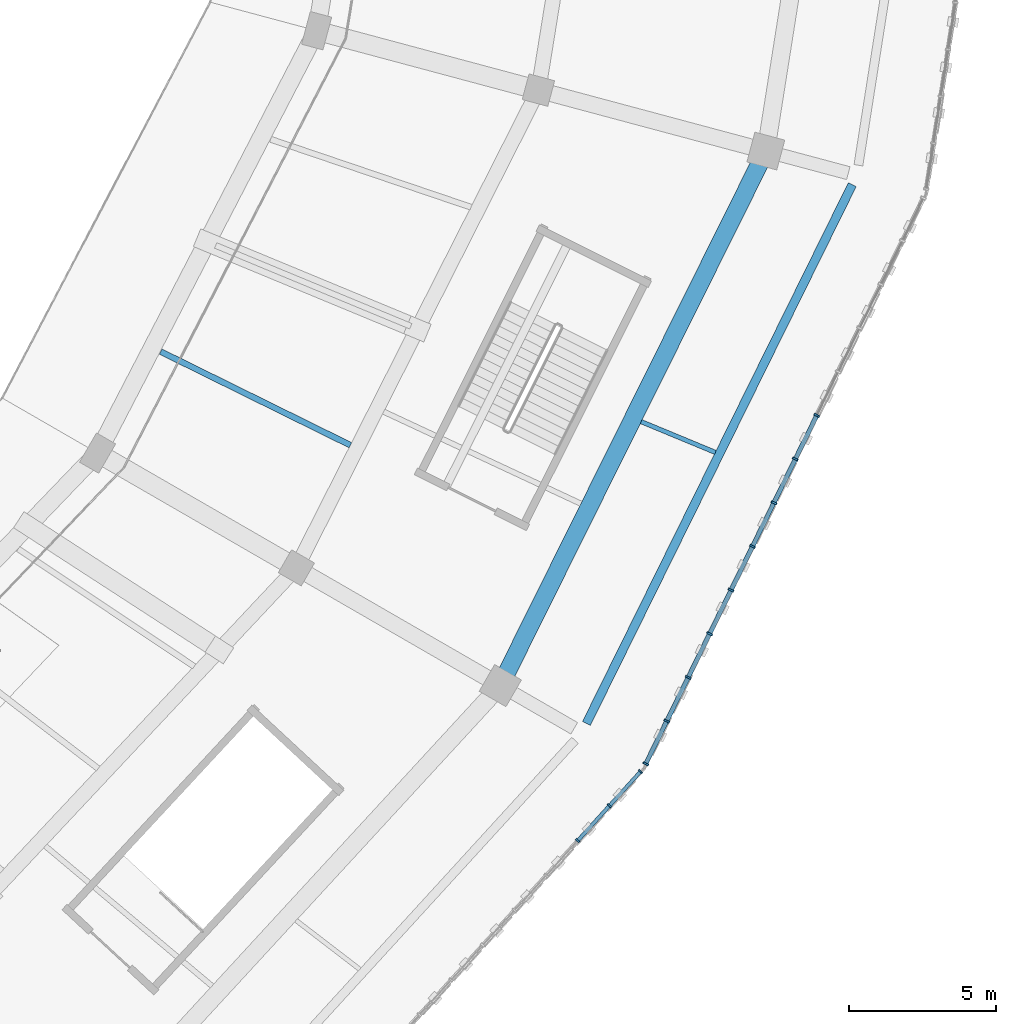
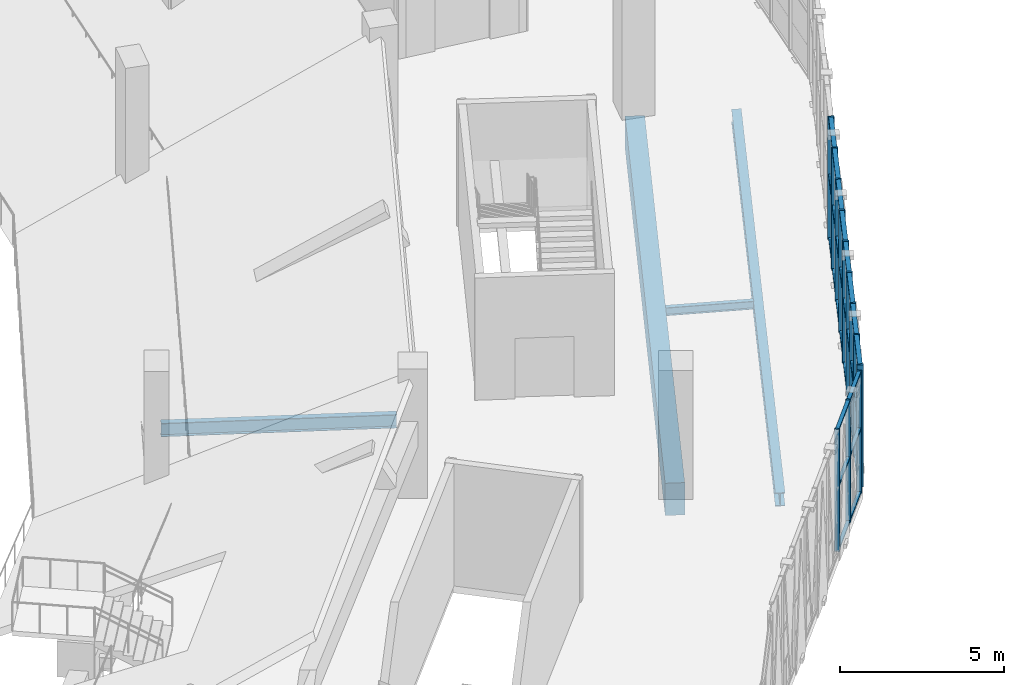
# One storey, part 36 of 152: 42 members, 4 beams, 2 elements without a shape of their own.
"""IFC4 building model written with IfcOpenShell, lengths in metres."""

from ifc_helpers import new_model, si_unit, direction, frame, origin, origin_2d, place, context, subcontext, project, spatial, rectangle, i_section, extrude, material, material_profile, profile_set, type_object, element, aggregate, save


model = new_model("IFC4")

# Units and contexts
model_context = context("Model", 3, precision=1e-05, world=origin(), true_north=direction((0.0, 1.0)))
body_context = subcontext(model_context, "Body", "Model", "MODEL_VIEW")
ifc_project = project(units=[si_unit("LENGTHUNIT", "METRE"), si_unit("AREAUNIT", "SQUARE_METRE"), si_unit("VOLUMEUNIT", "CUBIC_METRE"), si_unit("PLANEANGLEUNIT", "RADIAN"), si_unit("MASSUNIT", "GRAM", prefix="KILO")], contexts=[model_context])

# Site, building, storey
site_placement = place(None, origin())
site = spatial("IfcSite", under=ifc_project, at=site_placement, CompositionType="ELEMENT")
building_placement = place(site_placement, origin())
building = spatial("IfcBuilding", under=site, at=building_placement, Name="Zevraka Park Crest Stadium", CompositionType="ELEMENT")
storey_placement = place(building_placement, frame((0.0, 0.0, 15.0)))
storey = spatial("IfcBuildingStorey", under=building, at=storey_placement, Name="L03", CompositionType="ELEMENT", Elevation=15.0)

# Curtain wall, members
ifc_material_1 = material(Name="Anodised architectural aluminium and laminated safety glass", Category="aluminium")
curtain_wall_type_1 = type_object("IfcCurtainWallType", Name="CW13", PredefinedType="NOTDEFINED", material=ifc_material_1)
curtain_wall_1_placement = place(storey_placement, origin())
curtain_wall_1 = element("IfcCurtainWall", 1, at=curtain_wall_1_placement, inside=storey, type_object=curtain_wall_type_1, Name="Unitised Ring Curtain Wall CW13 L03-21", PredefinedType="NOTDEFINED")
ifc_material_2 = material(Name="Anodised architectural aluminium", Category="aluminium")
ifc_material_profile_1 = material_profile(ifc_material_2, rectangle(XDim=0.159912109375, YDim=0.06005859375, at=origin_2d()), Name="ALU MULLION 160x60")
ifc_profile_set_1 = profile_set([ifc_material_profile_1], Name="Anodised architectural aluminium")
member_type_1 = type_object("IfcMemberType", Name="CM01", PredefinedType="MULLION", material=ifc_profile_set_1)
member_1_placement = place(storey_placement, frame((192.83251953125, 49.0830078125, 0.0), z_axis=(0.0, 0.0, 1.0), x_axis=(-0.739822878481, 0.672801685845, 0.0)))
member_1 = element("IfcMember", 2, at=member_1_placement, type_object=member_type_1, Name="CW13 mullion 13", PredefinedType="MULLION", context=body_context, shape_type="SweptSolid", body=[
    extrude(rectangle(XDim=0.159912109375, YDim=0.06005859375, at=origin_2d()), origin(), (0.0, 0.0, 1.0), 4.5400390625),
])
member_2_placement = place(storey_placement, frame((193.90869140625, 50.2666015625, 0.0), z_axis=(0.0, 0.0, 1.0), x_axis=(-0.739822878481, 0.672801685845, 0.0)))
member_2 = element("IfcMember", 3, at=member_2_placement, type_object=member_type_1, Name="CW13 mullion 14", PredefinedType="MULLION", context=body_context, shape_type="SweptSolid", body=[
    extrude(rectangle(XDim=0.159912109375, YDim=0.06005859375, at=origin_2d()), origin(), (0.0, 0.0, 1.0), 4.5400390625),
])
member_3_placement = place(storey_placement, frame((194.96484375, 51.427734375, 0.0), z_axis=(0.0, 0.0, 1.0), x_axis=(-0.739822878481, 0.672801685845, 0.0)))
member_3 = element("IfcMember", 4, at=member_3_placement, type_object=member_type_1, Name="CW13 mullion 15", PredefinedType="MULLION", context=body_context, shape_type="SweptSolid", body=[
    extrude(rectangle(XDim=0.159912109375, YDim=0.06005859375, at=origin_2d()), origin(), (0.0, 0.0, 1.0), 4.5400390625),
])

ifc_material_3 = material(Name="Anodised architectural aluminium and laminated safety glass", Category="aluminium")
curtain_wall_type_2 = type_object("IfcCurtainWallType", Name="CW12", PredefinedType="NOTDEFINED", material=ifc_material_3)
curtain_wall_2_placement = place(storey_placement, origin())
curtain_wall_2 = element("IfcCurtainWall", 5, at=curtain_wall_2_placement, inside=storey, type_object=curtain_wall_type_2, Name="Unitised Ring Curtain Wall CW12 L03-22", PredefinedType="NOTDEFINED")
ifc_material_4 = material(Name="Anodised architectural aluminium", Category="aluminium")
ifc_material_profile_2 = material_profile(ifc_material_4, rectangle(XDim=0.199951171875, YDim=0.070068359375, at=origin_2d()), Name="ALU MULLION 200x70")
ifc_profile_set_2 = profile_set([ifc_material_profile_2], Name="Anodised architectural aluminium")
member_type_2 = type_object("IfcMemberType", Name="CM03", PredefinedType="MULLION", material=ifc_profile_set_2)
member_4_placement = place(storey_placement, frame((195.143310546875, 51.6923828125, 0.0), z_axis=(0.0, 0.0, 1.0), x_axis=(-0.897670958396, 0.440666370912, 0.0)))
member_4 = element("IfcMember", 6, at=member_4_placement, type_object=member_type_2, Name="CW12 mullion 1", PredefinedType="MULLION", context=body_context, shape_type="SweptSolid", body=[
    extrude(rectangle(XDim=0.199951171875, YDim=0.070068359375, at=origin_2d()), origin(), (0.0, 0.0, 1.0), 4.5400390625),
])
member_5_placement = place(storey_placement, frame((195.856201171875, 53.14453125, 0.0), z_axis=(0.0, 0.0, 1.0), x_axis=(-0.897670958396, 0.440666370912, 0.0)))
member_5 = element("IfcMember", 7, at=member_5_placement, type_object=member_type_2, Name="CW12 mullion 2", PredefinedType="MULLION", context=body_context, shape_type="SweptSolid", body=[
    extrude(rectangle(XDim=0.199951171875, YDim=0.070068359375, at=origin_2d()), origin(), (0.0, 0.0, 1.0), 4.5400390625),
])
member_6_placement = place(storey_placement, frame((196.58447265625, 54.6279296875, 0.0), z_axis=(0.0, 0.0, 1.0), x_axis=(-0.897670958396, 0.440666370912, 0.0)))
member_6 = element("IfcMember", 8, at=member_6_placement, type_object=member_type_2, Name="CW12 mullion 3", PredefinedType="MULLION", context=body_context, shape_type="SweptSolid", body=[
    extrude(rectangle(XDim=0.199951171875, YDim=0.070068359375, at=origin_2d()), origin(), (0.0, 0.0, 1.0), 4.5400390625),
])
member_7_placement = place(storey_placement, frame((197.312744140625, 56.111328125, 0.0), z_axis=(0.0, 0.0, 1.0), x_axis=(-0.897670958396, 0.440666370912, 0.0)))
member_7 = element("IfcMember", 9, at=member_7_placement, type_object=member_type_2, Name="CW12 mullion 4", PredefinedType="MULLION", context=body_context, shape_type="SweptSolid", body=[
    extrude(rectangle(XDim=0.199951171875, YDim=0.070068359375, at=origin_2d()), origin(), (0.0, 0.0, 1.0), 4.5400390625),
])
member_8_placement = place(storey_placement, frame((198.041015625, 57.5947265625, 0.0), z_axis=(0.0, 0.0, 1.0), x_axis=(-0.897670958396, 0.440666370912, 0.0)))
member_8 = element("IfcMember", 10, at=member_8_placement, type_object=member_type_2, Name="CW12 mullion 5", PredefinedType="MULLION", context=body_context, shape_type="SweptSolid", body=[
    extrude(rectangle(XDim=0.199951171875, YDim=0.070068359375, at=origin_2d()), origin(), (0.0, 0.0, 1.0), 4.5400390625),
])
member_9_placement = place(storey_placement, frame((198.76904296875, 59.078369140625, 0.0), z_axis=(0.0, 0.0, 1.0), x_axis=(-0.897670958396, 0.440666370912, 0.0)))
member_9 = element("IfcMember", 11, at=member_9_placement, type_object=member_type_2, Name="CW12 mullion 6", PredefinedType="MULLION", context=body_context, shape_type="SweptSolid", body=[
    extrude(rectangle(XDim=0.199951171875, YDim=0.070068359375, at=origin_2d()), origin(), (0.0, 0.0, 1.0), 4.5400390625),
])
member_10_placement = place(storey_placement, frame((199.497314453125, 60.561767578125, 0.0), z_axis=(0.0, 0.0, 1.0), x_axis=(-0.897670958396, 0.440666370912, 0.0)))
member_10 = element("IfcMember", 12, at=member_10_placement, type_object=member_type_2, Name="CW12 mullion 7", PredefinedType="MULLION", context=body_context, shape_type="SweptSolid", body=[
    extrude(rectangle(XDim=0.199951171875, YDim=0.070068359375, at=origin_2d()), origin(), (0.0, 0.0, 1.0), 4.5400390625),
])
member_11_placement = place(storey_placement, frame((200.2255859375, 62.045166015625, 0.0), z_axis=(0.0, 0.0, 1.0), x_axis=(-0.897670958396, 0.440666370912, 0.0)))
member_11 = element("IfcMember", 13, at=member_11_placement, type_object=member_type_2, Name="CW12 mullion 8", PredefinedType="MULLION", context=body_context, shape_type="SweptSolid", body=[
    extrude(rectangle(XDim=0.199951171875, YDim=0.070068359375, at=origin_2d()), origin(), (0.0, 0.0, 1.0), 4.5400390625),
])
member_12_placement = place(storey_placement, frame((200.953857421875, 63.52880859375, 0.0), z_axis=(0.0, 0.0, 1.0), x_axis=(-0.897670958396, 0.440666370912, 0.0)))
member_12 = element("IfcMember", 14, at=member_12_placement, type_object=member_type_2, Name="CW12 mullion 9", PredefinedType="MULLION", context=body_context, shape_type="SweptSolid", body=[
    extrude(rectangle(XDim=0.199951171875, YDim=0.070068359375, at=origin_2d()), origin(), (0.0, 0.0, 1.0), 4.5400390625),
])

# Member
ifc_material_5 = material(Name="Anodised architectural aluminium", Category="aluminium")
ifc_material_profile_3 = material_profile(ifc_material_5, rectangle(XDim=0.1201171875, YDim=0.06005859375, at=origin_2d()), Name="ALU TRANSOM 120x60")
ifc_profile_set_3 = profile_set([ifc_material_profile_3], Name="Anodised architectural aluminium")
member_type_3 = type_object("IfcMemberType", Name="CT01", PredefinedType="USERDEFINED", material=ifc_profile_set_3)
member_13_placement = place(storey_placement, frame((192.8525390625, 49.105224609375, 0.030029296875), z_axis=(0.672775385986, 0.739846794959, 0.0), x_axis=(-0.739846794959, 0.672775385986, 0.0)))
member_13 = element("IfcMember", 15, at=member_13_placement, type_object=member_type_3, Name="CW13 transom 13.1", ObjectType="TRANSOM", PredefinedType="USERDEFINED", context=body_context, shape_type="SweptSolid", body=[
    extrude(rectangle(XDim=0.1201171875, YDim=0.06005859375, at=origin_2d()), origin(), (0.0, 0.0, 1.0), 1.539794921875),
])

member_14_placement = place(storey_placement, frame((192.8525390625, 49.105224609375, 2.39990234375), z_axis=(0.672775385986, 0.739846794959, 0.0), x_axis=(-0.739846794959, 0.672775385986, 0.0)))
member_14 = element("IfcMember", 16, at=member_14_placement, type_object=member_type_3, Name="CW13 transom 13.2", ObjectType="TRANSOM", PredefinedType="USERDEFINED", context=body_context, shape_type="SweptSolid", body=[
    extrude(rectangle(XDim=0.1201171875, YDim=0.06005859375, at=origin_2d()), origin(), (0.0, 0.0, 1.0), 1.539794921875),
])

member_15_placement = place(storey_placement, frame((192.8525390625, 49.105224609375, 4.510009765625), z_axis=(0.672775385986, 0.739846794959, 0.0), x_axis=(-0.739846794959, 0.672775385986, 0.0)))
member_15 = element("IfcMember", 17, at=member_15_placement, type_object=member_type_3, Name="CW13 transom 13.3", ObjectType="TRANSOM", PredefinedType="USERDEFINED", context=body_context, shape_type="SweptSolid", body=[
    extrude(rectangle(XDim=0.1201171875, YDim=0.06005859375, at=origin_2d()), origin(), (0.0, 0.0, 1.0), 1.539794921875),
])

member_16_placement = place(storey_placement, frame((193.928955078125, 50.28857421875, 0.030029296875), z_axis=(0.672753283904, 0.739866892756, 0.0), x_axis=(-0.739866892756, 0.672753283904, 0.0)))
member_16 = element("IfcMember", 18, at=member_16_placement, type_object=member_type_3, Name="CW13 transom 14.1", ObjectType="TRANSOM", PredefinedType="USERDEFINED", context=body_context, shape_type="SweptSolid", body=[
    extrude(rectangle(XDim=0.1201171875, YDim=0.06005859375, at=origin_2d()), origin(), (0.0, 0.0, 1.0), 1.509765625),
])

member_17_placement = place(storey_placement, frame((193.928955078125, 50.28857421875, 2.39990234375), z_axis=(0.672753283904, 0.739866892756, 0.0), x_axis=(-0.739866892756, 0.672753283904, 0.0)))
member_17 = element("IfcMember", 19, at=member_17_placement, type_object=member_type_3, Name="CW13 transom 14.2", ObjectType="TRANSOM", PredefinedType="USERDEFINED", context=body_context, shape_type="SweptSolid", body=[
    extrude(rectangle(XDim=0.1201171875, YDim=0.06005859375, at=origin_2d()), origin(), (0.0, 0.0, 1.0), 1.509765625),
])

member_18_placement = place(storey_placement, frame((193.928955078125, 50.28857421875, 4.510009765625), z_axis=(0.672753283904, 0.739866892756, 0.0), x_axis=(-0.739866892756, 0.672753283904, 0.0)))
member_18 = element("IfcMember", 20, at=member_18_placement, type_object=member_type_3, Name="CW13 transom 14.3", ObjectType="TRANSOM", PredefinedType="USERDEFINED", context=body_context, shape_type="SweptSolid", body=[
    extrude(rectangle(XDim=0.1201171875, YDim=0.06005859375, at=origin_2d()), origin(), (0.0, 0.0, 1.0), 1.509765625),
])

aggregate(curtain_wall_1, [member_1, member_2, member_3, member_13, member_14, member_15, member_16, member_17, member_18])

ifc_material_6 = material(Name="Anodised architectural aluminium", Category="aluminium")
ifc_material_profile_4 = material_profile(ifc_material_6, rectangle(XDim=0.14990234375, YDim=0.070068359375, at=origin_2d()), Name="ALU TRANSOM 150x70")
ifc_profile_set_4 = profile_set([ifc_material_profile_4], Name="Anodised architectural aluminium")
member_type_4 = type_object("IfcMemberType", Name="CT03", PredefinedType="USERDEFINED", material=ifc_profile_set_4)
member_19_placement = place(storey_placement, frame((195.158935546875, 51.723876953125, 0.034912109375), z_axis=(0.440638518925, 0.897684630391, 0.0), x_axis=(-0.897684630391, 0.440638518925, 0.0)))
member_19 = element("IfcMember", 21, at=member_19_placement, type_object=member_type_4, Name="CW12 transom 1.1", ObjectType="TRANSOM", PredefinedType="USERDEFINED", context=body_context, shape_type="SweptSolid", body=[
    extrude(rectangle(XDim=0.14990234375, YDim=0.070068359375, at=origin_2d()), origin(), (0.0, 0.0, 1.0), 1.547607421875),
])

member_20_placement = place(storey_placement, frame((195.158935546875, 51.723876953125, 2.39990234375), z_axis=(0.440638518925, 0.897684630391, 0.0), x_axis=(-0.897684630391, 0.440638518925, 0.0)))
member_20 = element("IfcMember", 22, at=member_20_placement, type_object=member_type_4, Name="CW12 transom 1.2", ObjectType="TRANSOM", PredefinedType="USERDEFINED", context=body_context, shape_type="SweptSolid", body=[
    extrude(rectangle(XDim=0.14990234375, YDim=0.070068359375, at=origin_2d()), origin(), (0.0, 0.0, 1.0), 1.547607421875),
])

member_21_placement = place(storey_placement, frame((195.158935546875, 51.723876953125, 4.5048828125), z_axis=(0.440638518925, 0.897684630391, 0.0), x_axis=(-0.897684630391, 0.440638518925, 0.0)))
member_21 = element("IfcMember", 23, at=member_21_placement, type_object=member_type_4, Name="CW12 transom 1.3", ObjectType="TRANSOM", PredefinedType="USERDEFINED", context=body_context, shape_type="SweptSolid", body=[
    extrude(rectangle(XDim=0.14990234375, YDim=0.070068359375, at=origin_2d()), origin(), (0.0, 0.0, 1.0), 1.547607421875),
])

member_22_placement = place(storey_placement, frame((195.87158203125, 53.17578125, 0.034912109375), z_axis=(0.440722911723, 0.897643200321, 0.0), x_axis=(-0.897643200321, 0.440722911723, 0.0)))
member_22 = element("IfcMember", 24, at=member_22_placement, type_object=member_type_4, Name="CW12 transom 2.1", ObjectType="TRANSOM", PredefinedType="USERDEFINED", context=body_context, shape_type="SweptSolid", body=[
    extrude(rectangle(XDim=0.14990234375, YDim=0.070068359375, at=origin_2d()), origin(), (0.0, 0.0, 1.0), 1.582763671875),
])

member_23_placement = place(storey_placement, frame((195.87158203125, 53.17578125, 2.39990234375), z_axis=(0.440722911723, 0.897643200321, 0.0), x_axis=(-0.897643200321, 0.440722911723, 0.0)))
member_23 = element("IfcMember", 25, at=member_23_placement, type_object=member_type_4, Name="CW12 transom 2.2", ObjectType="TRANSOM", PredefinedType="USERDEFINED", context=body_context, shape_type="SweptSolid", body=[
    extrude(rectangle(XDim=0.14990234375, YDim=0.070068359375, at=origin_2d()), origin(), (0.0, 0.0, 1.0), 1.582763671875),
])

member_24_placement = place(storey_placement, frame((195.87158203125, 53.17578125, 4.5048828125), z_axis=(0.440722911723, 0.897643200321, 0.0), x_axis=(-0.897643200321, 0.440722911723, 0.0)))
member_24 = element("IfcMember", 26, at=member_24_placement, type_object=member_type_4, Name="CW12 transom 2.3", ObjectType="TRANSOM", PredefinedType="USERDEFINED", context=body_context, shape_type="SweptSolid", body=[
    extrude(rectangle(XDim=0.14990234375, YDim=0.070068359375, at=origin_2d()), origin(), (0.0, 0.0, 1.0), 1.582763671875),
])

member_25_placement = place(storey_placement, frame((196.599853515625, 54.659423828125, 0.034912109375), z_axis=(0.440722911723, 0.897643200321, 0.0), x_axis=(-0.897643200321, 0.440722911723, 0.0)))
member_25 = element("IfcMember", 27, at=member_25_placement, type_object=member_type_4, Name="CW12 transom 3.1", ObjectType="TRANSOM", PredefinedType="USERDEFINED", context=body_context, shape_type="SweptSolid", body=[
    extrude(rectangle(XDim=0.14990234375, YDim=0.070068359375, at=origin_2d()), origin(), (0.0, 0.0, 1.0), 1.582763671875),
])

member_26_placement = place(storey_placement, frame((196.599853515625, 54.659423828125, 2.39990234375), z_axis=(0.440722911723, 0.897643200321, 0.0), x_axis=(-0.897643200321, 0.440722911723, 0.0)))
member_26 = element("IfcMember", 28, at=member_26_placement, type_object=member_type_4, Name="CW12 transom 3.2", ObjectType="TRANSOM", PredefinedType="USERDEFINED", context=body_context, shape_type="SweptSolid", body=[
    extrude(rectangle(XDim=0.14990234375, YDim=0.070068359375, at=origin_2d()), origin(), (0.0, 0.0, 1.0), 1.582763671875),
])

member_27_placement = place(storey_placement, frame((196.599853515625, 54.659423828125, 4.5048828125), z_axis=(0.440722911723, 0.897643200321, 0.0), x_axis=(-0.897643200321, 0.440722911723, 0.0)))
member_27 = element("IfcMember", 29, at=member_27_placement, type_object=member_type_4, Name="CW12 transom 3.3", ObjectType="TRANSOM", PredefinedType="USERDEFINED", context=body_context, shape_type="SweptSolid", body=[
    extrude(rectangle(XDim=0.14990234375, YDim=0.070068359375, at=origin_2d()), origin(), (0.0, 0.0, 1.0), 1.582763671875),
])

member_28_placement = place(storey_placement, frame((197.328125, 56.142822265625, 0.034912109375), z_axis=(0.440598601408, 0.897704223248, 0.0), x_axis=(-0.897704223248, 0.440598601408, 0.0)))
member_28 = element("IfcMember", 30, at=member_28_placement, type_object=member_type_4, Name="CW12 transom 4.1", ObjectType="TRANSOM", PredefinedType="USERDEFINED", context=body_context, shape_type="SweptSolid", body=[
    extrude(rectangle(XDim=0.14990234375, YDim=0.070068359375, at=origin_2d()), origin(), (0.0, 0.0, 1.0), 1.58251953125),
])

member_29_placement = place(storey_placement, frame((197.328125, 56.142822265625, 2.39990234375), z_axis=(0.440598601408, 0.897704223248, 0.0), x_axis=(-0.897704223248, 0.440598601408, 0.0)))
member_29 = element("IfcMember", 31, at=member_29_placement, type_object=member_type_4, Name="CW12 transom 4.2", ObjectType="TRANSOM", PredefinedType="USERDEFINED", context=body_context, shape_type="SweptSolid", body=[
    extrude(rectangle(XDim=0.14990234375, YDim=0.070068359375, at=origin_2d()), origin(), (0.0, 0.0, 1.0), 1.58251953125),
])

member_30_placement = place(storey_placement, frame((197.328125, 56.142822265625, 4.5048828125), z_axis=(0.440598601408, 0.897704223248, 0.0), x_axis=(-0.897704223248, 0.440598601408, 0.0)))
member_30 = element("IfcMember", 32, at=member_30_placement, type_object=member_type_4, Name="CW12 transom 4.3", ObjectType="TRANSOM", PredefinedType="USERDEFINED", context=body_context, shape_type="SweptSolid", body=[
    extrude(rectangle(XDim=0.14990234375, YDim=0.070068359375, at=origin_2d()), origin(), (0.0, 0.0, 1.0), 1.58251953125),
])

member_31_placement = place(storey_placement, frame((198.056396484375, 57.626220703125, 0.034912109375), z_axis=(0.440598601408, 0.897704223248, 0.0), x_axis=(-0.897704223248, 0.440598601408, 0.0)))
member_31 = element("IfcMember", 33, at=member_31_placement, type_object=member_type_4, Name="CW12 transom 5.1", ObjectType="TRANSOM", PredefinedType="USERDEFINED", context=body_context, shape_type="SweptSolid", body=[
    extrude(rectangle(XDim=0.14990234375, YDim=0.070068359375, at=origin_2d()), origin(), (0.0, 0.0, 1.0), 1.58251953125),
])

member_32_placement = place(storey_placement, frame((198.056396484375, 57.626220703125, 2.39990234375), z_axis=(0.440598601408, 0.897704223248, 0.0), x_axis=(-0.897704223248, 0.440598601408, 0.0)))
member_32 = element("IfcMember", 34, at=member_32_placement, type_object=member_type_4, Name="CW12 transom 5.2", ObjectType="TRANSOM", PredefinedType="USERDEFINED", context=body_context, shape_type="SweptSolid", body=[
    extrude(rectangle(XDim=0.14990234375, YDim=0.070068359375, at=origin_2d()), origin(), (0.0, 0.0, 1.0), 1.58251953125),
])

member_33_placement = place(storey_placement, frame((198.056396484375, 57.626220703125, 4.5048828125), z_axis=(0.440598601408, 0.897704223248, 0.0), x_axis=(-0.897704223248, 0.440598601408, 0.0)))
member_33 = element("IfcMember", 35, at=member_33_placement, type_object=member_type_4, Name="CW12 transom 5.3", ObjectType="TRANSOM", PredefinedType="USERDEFINED", context=body_context, shape_type="SweptSolid", body=[
    extrude(rectangle(XDim=0.14990234375, YDim=0.070068359375, at=origin_2d()), origin(), (0.0, 0.0, 1.0), 1.58251953125),
])

member_34_placement = place(storey_placement, frame((198.78466796875, 59.109619140625, 0.034912109375), z_axis=(0.440598601408, 0.897704223248, 0.0), x_axis=(-0.897704223248, 0.440598601408, 0.0)))
member_34 = element("IfcMember", 36, at=member_34_placement, type_object=member_type_4, Name="CW12 transom 6.1", ObjectType="TRANSOM", PredefinedType="USERDEFINED", context=body_context, shape_type="SweptSolid", body=[
    extrude(rectangle(XDim=0.14990234375, YDim=0.070068359375, at=origin_2d()), origin(), (0.0, 0.0, 1.0), 1.58251953125),
])

member_35_placement = place(storey_placement, frame((198.78466796875, 59.109619140625, 2.39990234375), z_axis=(0.440598601408, 0.897704223248, 0.0), x_axis=(-0.897704223248, 0.440598601408, 0.0)))
member_35 = element("IfcMember", 37, at=member_35_placement, type_object=member_type_4, Name="CW12 transom 6.2", ObjectType="TRANSOM", PredefinedType="USERDEFINED", context=body_context, shape_type="SweptSolid", body=[
    extrude(rectangle(XDim=0.14990234375, YDim=0.070068359375, at=origin_2d()), origin(), (0.0, 0.0, 1.0), 1.58251953125),
])

member_36_placement = place(storey_placement, frame((198.78466796875, 59.109619140625, 4.5048828125), z_axis=(0.440598601408, 0.897704223248, 0.0), x_axis=(-0.897704223248, 0.440598601408, 0.0)))
member_36 = element("IfcMember", 38, at=member_36_placement, type_object=member_type_4, Name="CW12 transom 6.3", ObjectType="TRANSOM", PredefinedType="USERDEFINED", context=body_context, shape_type="SweptSolid", body=[
    extrude(rectangle(XDim=0.14990234375, YDim=0.070068359375, at=origin_2d()), origin(), (0.0, 0.0, 1.0), 1.58251953125),
])

member_37_placement = place(storey_placement, frame((199.5126953125, 60.59326171875, 0.034912109375), z_axis=(0.440722911723, 0.897643200321, 0.0), x_axis=(-0.897643200321, 0.440722911723, 0.0)))
member_37 = element("IfcMember", 39, at=member_37_placement, type_object=member_type_4, Name="CW12 transom 7.1", ObjectType="TRANSOM", PredefinedType="USERDEFINED", context=body_context, shape_type="SweptSolid", body=[
    extrude(rectangle(XDim=0.14990234375, YDim=0.070068359375, at=origin_2d()), origin(), (0.0, 0.0, 1.0), 1.582763671875),
])

member_38_placement = place(storey_placement, frame((199.5126953125, 60.59326171875, 2.39990234375), z_axis=(0.440722911723, 0.897643200321, 0.0), x_axis=(-0.897643200321, 0.440722911723, 0.0)))
member_38 = element("IfcMember", 40, at=member_38_placement, type_object=member_type_4, Name="CW12 transom 7.2", ObjectType="TRANSOM", PredefinedType="USERDEFINED", context=body_context, shape_type="SweptSolid", body=[
    extrude(rectangle(XDim=0.14990234375, YDim=0.070068359375, at=origin_2d()), origin(), (0.0, 0.0, 1.0), 1.582763671875),
])

member_39_placement = place(storey_placement, frame((199.5126953125, 60.59326171875, 4.5048828125), z_axis=(0.440722911723, 0.897643200321, 0.0), x_axis=(-0.897643200321, 0.440722911723, 0.0)))
member_39 = element("IfcMember", 41, at=member_39_placement, type_object=member_type_4, Name="CW12 transom 7.3", ObjectType="TRANSOM", PredefinedType="USERDEFINED", context=body_context, shape_type="SweptSolid", body=[
    extrude(rectangle(XDim=0.14990234375, YDim=0.070068359375, at=origin_2d()), origin(), (0.0, 0.0, 1.0), 1.582763671875),
])

member_40_placement = place(storey_placement, frame((200.240966796875, 62.07666015625, 0.034912109375), z_axis=(0.440722911723, 0.897643200321, 0.0), x_axis=(-0.897643200321, 0.440722911723, 0.0)))
member_40 = element("IfcMember", 42, at=member_40_placement, type_object=member_type_4, Name="CW12 transom 8.1", ObjectType="TRANSOM", PredefinedType="USERDEFINED", context=body_context, shape_type="SweptSolid", body=[
    extrude(rectangle(XDim=0.14990234375, YDim=0.070068359375, at=origin_2d()), origin(), (0.0, 0.0, 1.0), 1.582763671875),
])

member_41_placement = place(storey_placement, frame((200.240966796875, 62.07666015625, 2.39990234375), z_axis=(0.440722911723, 0.897643200321, 0.0), x_axis=(-0.897643200321, 0.440722911723, 0.0)))
member_41 = element("IfcMember", 43, at=member_41_placement, type_object=member_type_4, Name="CW12 transom 8.2", ObjectType="TRANSOM", PredefinedType="USERDEFINED", context=body_context, shape_type="SweptSolid", body=[
    extrude(rectangle(XDim=0.14990234375, YDim=0.070068359375, at=origin_2d()), origin(), (0.0, 0.0, 1.0), 1.582763671875),
])

member_42_placement = place(storey_placement, frame((200.240966796875, 62.07666015625, 4.5048828125), z_axis=(0.440722911723, 0.897643200321, 0.0), x_axis=(-0.897643200321, 0.440722911723, 0.0)))
member_42 = element("IfcMember", 44, at=member_42_placement, type_object=member_type_4, Name="CW12 transom 8.3", ObjectType="TRANSOM", PredefinedType="USERDEFINED", context=body_context, shape_type="SweptSolid", body=[
    extrude(rectangle(XDim=0.14990234375, YDim=0.070068359375, at=origin_2d()), origin(), (0.0, 0.0, 1.0), 1.582763671875),
])

aggregate(curtain_wall_2, [member_4, member_5, member_6, member_7, member_8, member_9, member_10, member_11, member_12, member_19, member_20, member_21, member_22, member_23, member_24, member_25, member_26, member_27, member_28, member_29, member_30, member_31, member_32, member_33, member_34, member_35, member_36, member_37, member_38, member_39, member_40, member_41, member_42])

# Beams
ifc_material_7 = material(Name="Concrete C40/50", Category="concrete")
ifc_material_profile_5 = material_profile(ifc_material_7, rectangle(XDim=0.60009765625, YDim=1.199951171875, at=origin_2d()), Name="RC 1200x600")
ifc_profile_set_5 = profile_set([ifc_material_profile_5], Name="Concrete C40/50")
beam_type_1 = type_object("IfcBeamType", Name="RB01", PredefinedType="BEAM", material=ifc_profile_set_5)
beam_1_placement = place(storey_placement, frame((190.37109375, 54.68994140625, -0.610107421875), z_axis=(0.444850507814, 0.895604837916, 0.0), x_axis=(-0.895604837916, 0.444850507814, 0.0)))
element("IfcBeam", 45, at=beam_1_placement, inside=storey, type_object=beam_type_1, Name="Ring Beam RB01 L03-D-22", PredefinedType="BEAM", context=body_context, shape_type="SweptSolid", body=[
    extrude(rectangle(XDim=0.60009765625, YDim=1.199951171875, at=origin_2d()), origin(), (0.0, 0.0, 1.0), 19.5185546875),
])
ifc_material_8 = material(Name="Steel S355", Category="steel")
ifc_material_profile_6 = material_profile(ifc_material_8, i_section(OverallWidth=0.300048828125, OverallDepth=0.5, WebThickness=0.014404296875, FlangeThickness=0.028076171875, at=origin_2d()), Name="HEB 500")
ifc_profile_set_6 = profile_set([ifc_material_profile_6], Name="Steel S355")
beam_type_2 = type_object("IfcBeamType", Name="RB05", PredefinedType="BEAM", material=ifc_profile_set_6)
beam_2_placement = place(storey_placement, frame((193.1279296875, 53.06396484375, -0.60498046875), z_axis=(0.442446810597, 0.896794747862, 0.0), x_axis=(-0.896794747862, 0.442446810597, 0.0)))
element("IfcBeam", 46, at=beam_2_placement, inside=storey, type_object=beam_type_2, Name="Ring Beam RB05 L03-E-22", PredefinedType="BEAM", context=body_context, shape_type="SweptSolid", body=[
    extrude(i_section(OverallWidth=0.300048828125, OverallDepth=0.5, WebThickness=0.014404296875, FlangeThickness=0.028076171875, at=origin_2d()), origin(), (0.0, 0.0, 1.0), 20.41162109375),
])
ifc_material_9 = material(Name="Steel S355", Category="steel")
ifc_material_profile_7 = material_profile(ifc_material_9, i_section(OverallWidth=0.14990234375, OverallDepth=0.300048828125, WebThickness=0.007080078125, FlangeThickness=0.0107421875, at=origin_2d()), Name="IPE 300")
ifc_profile_set_7 = profile_set([ifc_material_profile_7], Name="Steel S355")
beam_type_3 = type_object("IfcBeamType", Name="SJ01", PredefinedType="JOIST", material=ifc_profile_set_7)
beam_3_placement = place(storey_placement, frame((194.985107421875, 63.318115234375, -0.4580078125), z_axis=(0.923841523408, -0.382775181571, 0.0), x_axis=(0.382775181571, 0.923841523408, 0.0)))
element("IfcBeam", 47, at=beam_3_placement, inside=storey, type_object=beam_type_3, Name="Floor Joist SJ01 L03-DE-22-1", PredefinedType="JOIST", context=body_context, shape_type="SweptSolid", body=[
    extrude(i_section(OverallWidth=0.14990234375, OverallDepth=0.300048828125, WebThickness=0.007080078125, FlangeThickness=0.0107421875, at=origin_2d()), origin(), (0.0, 0.0, 1.0), 2.733154296875),
])
ifc_material_10 = material(Name="Steel S355", Category="steel")
ifc_material_profile_8 = material_profile(ifc_material_10, i_section(OverallWidth=0.199951171875, OverallDepth=0.5, WebThickness=0.01025390625, FlangeThickness=0.01611328125, at=origin_2d()), Name="IPE 500")
ifc_profile_set_8 = profile_set([ifc_material_profile_8], Name="Steel S355")
beam_type_4 = type_object("IfcBeamType", Name="SJ10", PredefinedType="JOIST", material=ifc_profile_set_8)
beam_4_placement = place(storey_placement, frame((178.662109375, 65.697998046875, -0.55810546875), z_axis=(0.89675774001, -0.442521813849, 0.0), x_axis=(0.442521813849, 0.89675774001, 0.0)))
element("IfcBeam", 48, at=beam_4_placement, inside=storey, type_object=beam_type_4, Name="Floor Joist SJ10 L03-BC-22-1", PredefinedType="JOIST", context=body_context, shape_type="SweptSolid", body=[
    extrude(i_section(OverallWidth=0.199951171875, OverallDepth=0.5, WebThickness=0.01025390625, FlangeThickness=0.01611328125, at=origin_2d()), origin(), (0.0, 0.0, 1.0), 7.1904296875),
])

save(model, "model.ifc")
